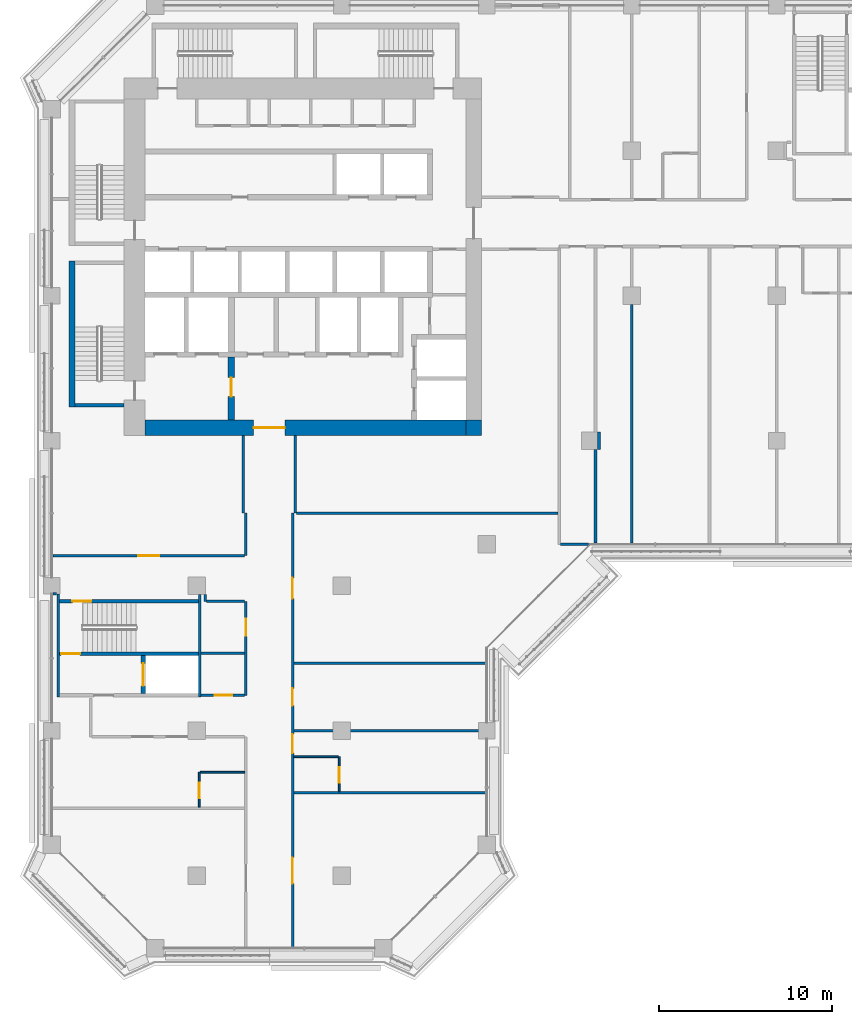
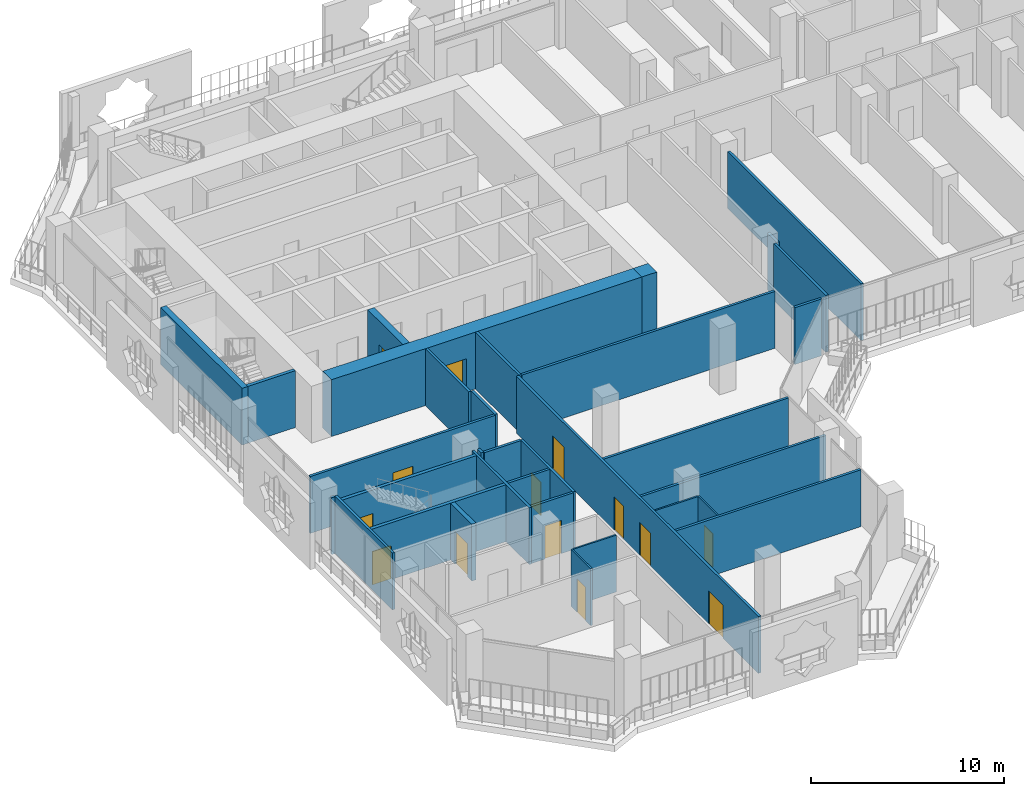
# One storey, part 10 of 22: 33 walls, 14 doors, 14 openings.
"""IFC4 building model written with IfcOpenShell, lengths in metres."""

from ifc_helpers import new_model, si_unit, direction, frame, frame_2d, origin, place, context, subcontext, project, spatial, rectangle, extrude, material, layer, layer_set, type_object, element, fill, save


model = new_model("IFC4")

# Units and contexts
model_context = context("Model", 3, precision=1e-05, world=origin(), true_north=direction((0.0, 1.0)))
body_context = subcontext(model_context, "Body", "Model", "MODEL_VIEW")
ifc_project = project(units=[si_unit("LENGTHUNIT", "METRE"), si_unit("AREAUNIT", "SQUARE_METRE"), si_unit("VOLUMEUNIT", "CUBIC_METRE"), si_unit("PLANEANGLEUNIT", "RADIAN"), si_unit("MASSUNIT", "GRAM", prefix="KILO")], contexts=[model_context])

# Site, building, storey
site_placement = place(None, origin())
site = spatial("IfcSite", under=ifc_project, at=site_placement, CompositionType="ELEMENT")
building_placement = place(site_placement, origin())
building = spatial("IfcBuilding", under=site, at=building_placement, Name="Kawkab Arch Medical Tower", CompositionType="ELEMENT")
storey_placement = place(building_placement, frame((0.0, 0.0, 196.199951171875)))
storey = spatial("IfcBuildingStorey", under=building, at=storey_placement, Name="L45", CompositionType="ELEMENT", Elevation=196.199951171875)

# Wall, opening, door
ifc_material_1 = material(Name="Concrete C55/67", Category="concrete")
ifc_layer_1 = layer(ifc_material_1, 0.89990234375)
ifc_layer_set_1 = layer_set([ifc_layer_1], Name="Concrete C55/67")
wall_type_1 = type_object("IfcWallType", Name="Core ring wall 900 C55/67", PredefinedType="SHEAR", material=ifc_layer_set_1)
wall_1_placement = place(storey_placement, frame((5.39990234375, -24.449951171875, 0.0), z_axis=(0.0, 0.0, 1.0), x_axis=(1.0, 0.0, 0.0)))
wall_1 = element("IfcWall", 1, at=wall_1_placement, inside=storey, type_object=wall_type_1, Name="L45 core wall", PredefinedType="SHEAR", context=body_context, shape_type="SweptSolid", body=[
    extrude(rectangle(XDim=18.60009765625, YDim=0.89990234375, at=frame_2d((9.300048828125, 0.0))), origin(), (0.0, 0.0, 1.0), 3.60009765625),
])
opening_1_placement = place(wall_1_placement, frame((6.300048828125, 0.0, 0.0)))
opening_1 = element("IfcOpeningElement", 2, at=opening_1_placement, cuts=wall_1, Name="Opening PD", PredefinedType="OPENING", context=body_context, shape_type="SweptSolid", body=[
    extrude(rectangle(XDim=1.800048828125, YDim=2.10009765625, at=frame_2d((0.89990234375, 1.050048828125))), frame((0.0, 0.4599609375, 0.0), z_axis=(0.0, -1.0, 0.0), x_axis=(1.0, 0.0, 0.0)), (0.0, 0.0, 1.0), 0.919921875),
])
ifc_material_2 = material(Name="Hollow metal fire door leaf")
door_type_1 = type_object("IfcDoorType", Name="Core entrance doors 1800", OperationType="DOUBLE_DOOR_SINGLE_SWING", PredefinedType="DOOR", material=ifc_material_2)
door_1_placement = place(opening_1_placement, origin())
door_1 = element("IfcDoor", 3, at=door_1_placement, inside=storey, type_object=door_type_1, Name="L45 South entrance doors", OperationType="DOUBLE_DOOR_SINGLE_SWING", OverallHeight=2.10009765625, OverallWidth=1.800048828125, PredefinedType="DOOR", context=body_context, shape_type="SweptSolid", body=[
    extrude(rectangle(XDim=1.800048828125, YDim=2.10009765625, at=frame_2d((0.89990234375, 1.050048828125))), frame((0.0, 0.02490234375, 0.0), z_axis=(0.0, -1.0, 0.0), x_axis=(1.0, 0.0, 0.0)), (0.0, 0.0, 1.0), 0.050048828125),
])
fill(opening_1, door_1)

# Wall
wall_2_placement = place(storey_placement, frame((24.449951171875, -24.89990234375, 0.0), z_axis=(0.0, 0.0, 1.0), x_axis=(0.0, 1.0, 0.0)))
element("IfcWall", 4, at=wall_2_placement, inside=storey, type_object=wall_type_1, Name="L45 core wall", PredefinedType="SHEAR", context=body_context, shape_type="SweptSolid", body=[
    extrude(rectangle(XDim=0.89990234375, YDim=0.89990234375, at=frame_2d((0.449951171875, 0.0))), origin(), (0.0, 0.0, 1.0), 3.60009765625),
])

# Wall, opening, door
ifc_material_3 = material(Name="Concrete C60/75", Category="concrete")
ifc_layer_2 = layer(ifc_material_3, 0.25)
ifc_layer_set_2 = layer_set([ifc_layer_2], Name="Concrete C60/75")
wall_type_2 = type_object("IfcWallType", Name="Core shear wall 250 C60/75", PredefinedType="SHEAR", material=ifc_layer_set_2)
wall_3_placement = place(storey_placement, frame((5.300048828125, -39.85009765625, 0.0), z_axis=(0.0, 0.0, 1.0), x_axis=(0.0, 1.0, 0.0)))
wall_3 = element("IfcWall", 5, at=wall_3_placement, inside=storey, type_object=wall_type_2, Name="L45 core shear wall", PredefinedType="SHEAR", context=body_context, shape_type="SweptSolid", body=[
    extrude(rectangle(XDim=2.2001953125, YDim=0.25, at=frame_2d((1.10009765625, 0.0))), origin(), (0.0, 0.0, 1.0), 3.60009765625),
])
opening_2_placement = place(wall_3_placement, frame((0.449951171875, 0.0, 0.0)))
opening_2 = element("IfcOpeningElement", 6, at=opening_2_placement, cuts=wall_3, Name="Opening LD2", PredefinedType="OPENING", context=body_context, shape_type="SweptSolid", body=[
    extrude(rectangle(XDim=1.300048828125, YDim=2.10009765625, at=frame_2d((0.64990234375, 1.050048828125))), frame((0.0, 0.135009765625, 0.0), z_axis=(0.0, -1.0, 0.0), x_axis=(1.0, 0.0, 0.0)), (0.0, 0.0, 1.0), 0.27001953125),
])
ifc_material_4 = material(Name="Stainless steel lift door leaf", Category="steel")
door_type_2 = type_object("IfcDoorType", Name="Lift landing door 1300", OperationType="DOUBLE_DOOR_SLIDING", PredefinedType="DOOR", material=ifc_material_4)
door_2_placement = place(opening_2_placement, origin())
door_2 = element("IfcDoor", 7, at=door_2_placement, inside=storey, type_object=door_type_2, Name="L45 Lift landing door SV2", OperationType="DOUBLE_DOOR_SLIDING", OverallHeight=2.10009765625, OverallWidth=1.300048828125, PredefinedType="DOOR", context=body_context, shape_type="SweptSolid", body=[
    extrude(rectangle(XDim=1.300048828125, YDim=2.10009765625, at=frame_2d((0.64990234375, 1.050048828125))), frame((0.0, 0.02490234375, 0.0), z_axis=(0.0, -1.0, 0.0), x_axis=(1.0, 0.0, 0.0)), (0.0, 0.0, 1.0), 0.050048828125),
])
fill(opening_2, door_2)

ifc_material_5 = material(Name="Concrete C60/75", Category="concrete")
ifc_layer_3 = layer(ifc_material_5, 0.39990234375)
ifc_layer_set_3 = layer_set([ifc_layer_3], Name="Concrete C60/75")
wall_type_3 = type_object("IfcWallType", Name="Core shear wall 400 C60/75", PredefinedType="SHEAR", material=ifc_layer_set_3)
wall_4_placement = place(storey_placement, frame((10.39990234375, -24.0, 0.0), z_axis=(0.0, 0.0, 1.0), x_axis=(0.0, 1.0, 0.0)))
wall_4 = element("IfcWall", 8, at=wall_4_placement, inside=storey, type_object=wall_type_3, Name="L45 core shear wall", PredefinedType="SHEAR", context=body_context, shape_type="SweptSolid", body=[
    extrude(rectangle(XDim=3.64990234375, YDim=0.39990234375, at=frame_2d((1.824951171875, 0.0))), origin(), (0.0, 0.0, 1.0), 3.60009765625),
])
opening_3_placement = place(wall_4_placement, frame((1.35009765625, 0.0, 0.0)))
opening_3 = element("IfcOpeningElement", 9, at=opening_3_placement, cuts=wall_4, Name="Opening FD", PredefinedType="OPENING", context=body_context, shape_type="SweptSolid", body=[
    extrude(rectangle(XDim=1.10009765625, YDim=2.10009765625, at=frame_2d((0.550048828125, 1.050048828125))), frame((0.0, 0.2099609375, 0.0), z_axis=(0.0, -1.0, 0.0), x_axis=(1.0, 0.0, 0.0)), (0.0, 0.0, 1.0), 0.419921875),
])
ifc_material_6 = material(Name="Hollow metal fire door leaf")
door_type_3 = type_object("IfcDoorType", Name="Firefighting lobby door 1100", OperationType="SINGLE_SWING_LEFT", PredefinedType="DOOR", material=ifc_material_6)
door_3_placement = place(opening_3_placement, origin())
door_3 = element("IfcDoor", 10, at=door_3_placement, inside=storey, type_object=door_type_3, Name="L45 Firefighting lobby door", OperationType="SINGLE_SWING_LEFT", OverallHeight=2.10009765625, OverallWidth=1.10009765625, PredefinedType="DOOR", context=body_context, shape_type="SweptSolid", body=[
    extrude(rectangle(XDim=1.10009765625, YDim=2.10009765625, at=frame_2d((0.550048828125, 1.050048828125))), frame((0.0, 0.02490234375, 0.0), z_axis=(0.0, -1.0, 0.0), x_axis=(1.0, 0.0, 0.0)), (0.0, 0.0, 1.0), 0.050048828125),
])
fill(opening_3, door_3)

# Walls
ifc_material_7 = material(Name="Gypsum board partition on steel studs", Category="steel")
ifc_layer_4 = layer(ifc_material_7, 0.10009765625)
ifc_layer_set_4 = layer_set([ifc_layer_4], Name="Gypsum board partition on steel studs")
wall_type_4 = type_object("IfcWallType", Name="Partition 100", PredefinedType="PARTITIONING", material=ifc_layer_set_4)
wall_5_placement = place(storey_placement, frame((8.60009765625, -44.39990234375, 0.0), z_axis=(0.0, 0.0, 1.0), x_axis=(1.0, 0.0, 0.0)))
element("IfcWall", 11, at=wall_5_placement, inside=storey, type_object=wall_type_4, Name="Partition 100 w001", PredefinedType="PARTITIONING", context=body_context, shape_type="SweptSolid", body=[
    extrude(rectangle(XDim=2.574951171875, YDim=0.10009765625, at=frame_2d((1.28759765625, 0.0))), origin(), (0.0, 0.0, 1.0), 3.60009765625),
])
wall_6_placement = place(storey_placement, frame((14.02490234375, -43.5, 0.0), z_axis=(0.0, 0.0, 1.0), x_axis=(1.0, 0.0, 0.0)))
element("IfcWall", 12, at=wall_6_placement, inside=storey, type_object=wall_type_4, Name="Partition 100 w002", PredefinedType="PARTITIONING", context=body_context, shape_type="SweptSolid", body=[
    extrude(rectangle(XDim=2.5751953125, YDim=0.10009765625, at=frame_2d((1.28759765625, 0.0))), origin(), (0.0, 0.0, 1.0), 3.60009765625),
])

# Wall, opening, door
wall_7_placement = place(storey_placement, frame((8.550048828125, -46.425048828125, 0.0), z_axis=(0.0, 0.0, 1.0), x_axis=(0.0, 1.0, 0.0)))
wall_7 = element("IfcWall", 13, at=wall_7_placement, inside=storey, type_object=wall_type_4, Name="Partition 100 w007", PredefinedType="PARTITIONING", context=body_context, shape_type="SweptSolid", body=[
    extrude(rectangle(XDim=2.025146484375, YDim=0.10009765625, at=frame_2d((1.0126953125, 0.0))), origin(), (0.0, 0.0, 1.0), 3.60009765625),
])
opening_4_placement = place(wall_7_placement, frame((0.52490234375, 0.0, 0.0)))
opening_4 = element("IfcOpeningElement", 14, at=opening_4_placement, cuts=wall_7, Name="Opening W40-010", PredefinedType="OPENING", context=body_context, shape_type="SweptSolid", body=[
    extrude(rectangle(XDim=0.89990234375, YDim=2.10009765625, at=frame_2d((0.449951171875, 1.050048828125))), frame((0.0, 0.06005859375, 0.0), z_axis=(0.0, -1.0, 0.0), x_axis=(1.0, 0.0, 0.0)), (0.0, 0.0, 1.0), 0.1201171875),
])
ifc_material_8 = material(Name="Timber door leaf", Category="wood")
door_type_4 = type_object("IfcDoorType", Name="Single door 900x2100", OperationType="NOTDEFINED", PredefinedType="DOOR", material=ifc_material_8)
door_4_placement = place(opening_4_placement, origin())
door_4 = element("IfcDoor", 15, at=door_4_placement, inside=storey, type_object=door_type_4, Name="Door W40-010", OperationType="SINGLE_SWING_RIGHT", OverallHeight=2.10009765625, OverallWidth=0.89990234375, PredefinedType="DOOR", context=body_context, shape_type="SweptSolid", body=[
    extrude(rectangle(XDim=0.89990234375, YDim=2.10009765625, at=frame_2d((0.449951171875, 1.050048828125))), frame((0.0, 0.02490234375, 0.0), z_axis=(0.0, -1.0, 0.0), x_axis=(1.0, 0.0, 0.0)), (0.0, 0.0, 1.0), 0.050048828125),
])
fill(opening_4, door_4)

wall_8_placement = place(storey_placement, frame((16.64990234375, -45.52490234375, 0.0), z_axis=(0.0, 0.0, 1.0), x_axis=(0.0, 1.0, 0.0)))
wall_8 = element("IfcWall", 16, at=wall_8_placement, inside=storey, type_object=wall_type_4, Name="Partition 100 w008", PredefinedType="PARTITIONING", context=body_context, shape_type="SweptSolid", body=[
    extrude(rectangle(XDim=2.02490234375, YDim=0.10009765625, at=frame_2d((1.012451171875, 0.0))), origin(), (0.0, 0.0, 1.0), 3.60009765625),
])
opening_5_placement = place(wall_8_placement, frame((0.52490234375, 0.0, 0.0)))
opening_5 = element("IfcOpeningElement", 17, at=opening_5_placement, cuts=wall_8, Name="Opening W40-011", PredefinedType="OPENING", context=body_context, shape_type="SweptSolid", body=[
    extrude(rectangle(XDim=0.89990234375, YDim=2.10009765625, at=frame_2d((0.449951171875, 1.050048828125))), frame((0.0, 0.06005859375, 0.0), z_axis=(0.0, -1.0, 0.0), x_axis=(1.0, 0.0, 0.0)), (0.0, 0.0, 1.0), 0.1201171875),
])
door_5_placement = place(opening_5_placement, origin())
door_5 = element("IfcDoor", 18, at=door_5_placement, inside=storey, type_object=door_type_4, Name="Door W40-011", OperationType="SINGLE_SWING_RIGHT", OverallHeight=2.10009765625, OverallWidth=0.89990234375, PredefinedType="DOOR", context=body_context, shape_type="SweptSolid", body=[
    extrude(rectangle(XDim=0.89990234375, YDim=2.10009765625, at=frame_2d((0.449951171875, 1.050048828125))), frame((0.0, 0.02490234375, 0.0), z_axis=(0.0, -1.0, 0.0), x_axis=(1.0, 0.0, 0.0)), (0.0, 0.0, 1.0), 0.050048828125),
])
fill(opening_5, door_5)

# Walls
ifc_material_9 = material(Name="Gypsum board partition on steel studs, mineral wool", Category="steel")
ifc_layer_5 = layer(ifc_material_9, 0.14990234375)
ifc_layer_set_5 = layer_set([ifc_layer_5], Name="Gypsum board partition on steel studs, mineral wool")
wall_type_5 = type_object("IfcWallType", Name="Partition 150", PredefinedType="PARTITIONING", material=ifc_layer_set_5)
for number, where, z_axis, x_axis, name in (
    (19, (14.02490234375, -45.60009765625, 0.0), (0.0, 0.0, 1.0), (1.0, 0.0, 0.0), "Partition 150 w016"),
    (20, (14.02490234375, -42.0, 0.0), (0.0, 0.0, 1.0), (1.0, 0.0, 0.0), "Partition 150 w018"),
):
    element("IfcWall", number, at=place(storey_placement, frame(where, z_axis=z_axis, x_axis=x_axis)), inside=storey, type_object=wall_type_5, Name=name, PredefinedType="PARTITIONING", context=body_context, shape_type="SweptSolid", body=[
        extrude(rectangle(XDim=11.09521484375, YDim=0.14990234375, at=frame_2d((5.547607421875, 0.0))), origin(), (0.0, 0.0, 1.0), 3.60009765625),
    ])

# Wall, opening, door
wall_9_placement = place(storey_placement, frame((8.64990234375, -39.949951171875, 0.0), z_axis=(0.0, 0.0, 1.0), x_axis=(1.0, 0.0, 0.0)))
wall_9 = element("IfcWall", 21, at=wall_9_placement, inside=storey, type_object=wall_type_5, Name="Partition 150 w019", PredefinedType="PARTITIONING", context=body_context, shape_type="SweptSolid", body=[
    extrude(rectangle(XDim=2.525146484375, YDim=0.14990234375, at=frame_2d((1.2626953125, 0.0))), origin(), (0.0, 0.0, 1.0), 3.60009765625),
])
opening_6_placement = place(wall_9_placement, frame((0.800048828125, 0.0, 0.0)))
opening_6 = element("IfcOpeningElement", 22, at=opening_6_placement, cuts=wall_9, Name="Opening W40-024", PredefinedType="OPENING", context=body_context, shape_type="SweptSolid", body=[
    extrude(rectangle(XDim=1.0, YDim=2.10009765625, at=frame_2d((0.5, 1.050048828125))), frame((0.0, 0.0849609375, 0.0), z_axis=(0.0, -1.0, 0.0), x_axis=(1.0, 0.0, 0.0)), (0.0, 0.0, 1.0), 0.169921875),
])
ifc_material_10 = material(Name="Hollow metal door leaf")
door_type_5 = type_object("IfcDoorType", Name="Single door 1000x2100 FD30S", OperationType="NOTDEFINED", PredefinedType="DOOR", material=ifc_material_10)
door_6_placement = place(opening_6_placement, origin())
door_6 = element("IfcDoor", 23, at=door_6_placement, inside=storey, type_object=door_type_5, Name="Door W40-024", OperationType="SINGLE_SWING_LEFT", OverallHeight=2.10009765625, OverallWidth=1.0, PredefinedType="DOOR", context=body_context, shape_type="SweptSolid", body=[
    extrude(rectangle(XDim=1.0, YDim=2.10009765625, at=frame_2d((0.5, 1.050048828125))), frame((0.0, 0.02490234375, 0.0), z_axis=(0.0, -1.0, 0.0), x_axis=(1.0, 0.0, 0.0)), (0.0, 0.0, 1.0), 0.050048828125),
])
fill(opening_6, door_6)

# Walls
wall_10_placement = place(storey_placement, frame((14.02490234375, -38.10009765625, 0.0), z_axis=(0.0, 0.0, 1.0), x_axis=(1.0, 0.0, 0.0)))
element("IfcWall", 24, at=wall_10_placement, inside=storey, type_object=wall_type_5, Name="Partition 150 w020", PredefinedType="PARTITIONING", context=body_context, shape_type="SweptSolid", body=[
    extrude(rectangle(XDim=11.09521484375, YDim=0.14990234375, at=frame_2d((5.547607421875, 0.0))), origin(), (0.0, 0.0, 1.0), 3.60009765625),
])
wall_11_placement = place(storey_placement, frame((8.64990234375, -37.5, 0.0), z_axis=(0.0, 0.0, 1.0), x_axis=(1.0, 0.0, 0.0)))
element("IfcWall", 25, at=wall_11_placement, inside=storey, type_object=wall_type_5, Name="Partition 150 w021", PredefinedType="PARTITIONING", context=body_context, shape_type="SweptSolid", body=[
    extrude(rectangle(XDim=2.525146484375, YDim=0.14990234375, at=frame_2d((1.2626953125, 0.0))), origin(), (0.0, 0.0, 1.0), 3.60009765625),
])
wall_12_placement = place(storey_placement, frame((8.97509765625, -34.5, 0.0), z_axis=(0.0, 0.0, 1.0), x_axis=(1.0, 0.0, 0.0)))
element("IfcWall", 26, at=wall_12_placement, inside=storey, type_object=wall_type_5, Name="Partition 150 w022", PredefinedType="PARTITIONING", context=body_context, shape_type="SweptSolid", body=[
    extrude(rectangle(XDim=2.199951171875, YDim=0.14990234375, at=frame_2d((1.10009765625, 0.0))), origin(), (0.0, 0.0, 1.0), 3.60009765625),
])
wall_13_placement = place(storey_placement, frame((0.080078125, -34.074951171875, 0.0), z_axis=(0.0, 0.0, 1.0), x_axis=(1.0, 0.0, 0.0)))
element("IfcWall", 27, at=wall_13_placement, inside=storey, type_object=wall_type_5, Name="Partition 150 w023", PredefinedType="PARTITIONING", context=body_context, shape_type="SweptSolid", body=[
    extrude(rectangle(XDim=0.18994140625, YDim=0.14990234375, at=frame_2d((0.094970703125, 0.0))), origin(), (0.0, 0.0, 1.0), 3.60009765625),
])

# Wall, opening, door
wall_14_placement = place(storey_placement, frame((0.080078125, -31.85693359375, 0.0), z_axis=(0.0, 0.0, 1.0), x_axis=(1.0, 0.0, 0.0)))
wall_14 = element("IfcWall", 28, at=wall_14_placement, inside=storey, type_object=wall_type_5, Name="Partition 150 w024", PredefinedType="PARTITIONING", context=body_context, shape_type="SweptSolid", body=[
    extrude(rectangle(XDim=11.094970703125, YDim=0.14990234375, at=frame_2d((5.54736328125, 0.0))), origin(), (0.0, 0.0, 1.0), 3.60009765625),
])
opening_7_placement = place(wall_14_placement, frame((4.945068359375, 0.0, 0.0)))
opening_7 = element("IfcOpeningElement", 29, at=opening_7_placement, cuts=wall_14, Name="Opening W40-033", PredefinedType="OPENING", context=body_context, shape_type="SweptSolid", body=[
    extrude(rectangle(XDim=1.199951171875, YDim=2.10009765625, at=frame_2d((0.60009765625, 1.050048828125))), frame((0.0, 0.0849609375, 0.0), z_axis=(0.0, -1.0, 0.0), x_axis=(1.0, 0.0, 0.0)), (0.0, 0.0, 1.0), 0.169921875),
])
ifc_material_11 = material(Name="Hollow metal door leaf")
door_type_6 = type_object("IfcDoorType", Name="Single door 1200x2100 FD30S", OperationType="NOTDEFINED", PredefinedType="DOOR", material=ifc_material_11)
door_7_placement = place(opening_7_placement, origin())
door_7 = element("IfcDoor", 30, at=door_7_placement, inside=storey, type_object=door_type_6, Name="Door W40-033", OperationType="SINGLE_SWING_LEFT", OverallHeight=2.10009765625, OverallWidth=1.199951171875, PredefinedType="DOOR", context=body_context, shape_type="SweptSolid", body=[
    extrude(rectangle(XDim=1.199951171875, YDim=2.10009765625, at=frame_2d((0.60009765625, 1.050048828125))), frame((0.0, 0.02490234375, 0.0), z_axis=(0.0, -1.0, 0.0), x_axis=(1.0, 0.0, 0.0)), (0.0, 0.0, 1.0), 0.050048828125),
])
fill(opening_7, door_7)

# Walls
wall_15_placement = place(storey_placement, frame((29.47705078125, -31.199951171875, 0.0), z_axis=(0.0, 0.0, 1.0), x_axis=(1.0, 0.0, 0.0)))
element("IfcWall", 31, at=wall_15_placement, inside=storey, type_object=wall_type_5, Name="Partition 150 w025", PredefinedType="PARTITIONING", context=body_context, shape_type="SweptSolid", body=[
    extrude(rectangle(XDim=1.60986328125, YDim=0.14990234375, at=frame_2d((0.804931640625, 0.0))), origin(), (0.0, 0.0, 1.0), 3.60009765625),
])
wall_16_placement = place(storey_placement, frame((14.175048828125, -29.39990234375, 0.0), z_axis=(0.0, 0.0, 1.0), x_axis=(1.0, 0.0, 0.0)))
element("IfcWall", 32, at=wall_16_placement, inside=storey, type_object=wall_type_5, Name="Partition 150 w026", PredefinedType="PARTITIONING", context=body_context, shape_type="SweptSolid", body=[
    extrude(rectangle(XDim=15.14990234375, YDim=0.14990234375, at=frame_2d((7.574951171875, 0.0))), origin(), (0.0, 0.0, 1.0), 3.60009765625),
])
wall_17_placement = place(storey_placement, frame((8.89990234375, -34.5, 0.0), z_axis=(0.0, 0.0, 1.0), x_axis=(0.0, 1.0, 0.0)))
element("IfcWall", 33, at=wall_17_placement, inside=storey, type_object=wall_type_5, Name="Partition 150 w038", PredefinedType="PARTITIONING", context=body_context, shape_type="SweptSolid", body=[
    extrude(rectangle(XDim=0.39892578125, YDim=0.14990234375, at=frame_2d((0.199462890625, 0.0))), origin(), (0.0, 0.0, 1.0), 3.60009765625),
])
wall_18_placement = place(storey_placement, frame((11.10009765625, -29.39794921875, 0.0), z_axis=(0.0, 0.0, 1.0), x_axis=(0.0, 1.0, 0.0)))
element("IfcWall", 34, at=wall_18_placement, inside=storey, type_object=wall_type_5, Name="Partition 150 w039", PredefinedType="PARTITIONING", context=body_context, shape_type="SweptSolid", body=[
    extrude(rectangle(XDim=4.498046875, YDim=0.14990234375, at=frame_2d((2.2490234375, 0.0))), origin(), (0.0, 0.0, 1.0), 3.60009765625),
])

# Wall, opening, door
wall_19_placement = place(storey_placement, frame((11.25, -39.949951171875, 0.0), z_axis=(0.0, 0.0, 1.0), x_axis=(0.0, 1.0, 0.0)))
wall_19 = element("IfcWall", 35, at=wall_19_placement, inside=storey, type_object=wall_type_5, Name="Partition 150 w041", PredefinedType="PARTITIONING", context=body_context, shape_type="SweptSolid", body=[
    extrude(rectangle(XDim=5.449951171875, YDim=0.14990234375, at=frame_2d((2.72509765625, 0.0))), origin(), (0.0, 0.0, 1.0), 3.60009765625),
])
opening_8_placement = place(wall_19_placement, frame((3.449951171875, 0.0, 0.0)))
opening_8 = element("IfcOpeningElement", 36, at=opening_8_placement, cuts=wall_19, Name="Opening W40-023", PredefinedType="OPENING", context=body_context, shape_type="SweptSolid", body=[
    extrude(rectangle(XDim=1.0, YDim=2.10009765625, at=frame_2d((0.5, 1.050048828125))), frame((0.0, 0.0849609375, 0.0), z_axis=(0.0, -1.0, 0.0), x_axis=(1.0, 0.0, 0.0)), (0.0, 0.0, 1.0), 0.169921875),
])
door_8_placement = place(opening_8_placement, origin())
door_8 = element("IfcDoor", 37, at=door_8_placement, inside=storey, type_object=door_type_5, Name="Door W40-023", OperationType="SINGLE_SWING_RIGHT", OverallHeight=2.10009765625, OverallWidth=1.0, PredefinedType="DOOR", context=body_context, shape_type="SweptSolid", body=[
    extrude(rectangle(XDim=1.0, YDim=2.10009765625, at=frame_2d((0.5, 1.050048828125))), frame((0.0, 0.02490234375, 0.0), z_axis=(0.0, -1.0, 0.0), x_axis=(1.0, 0.0, 0.0)), (0.0, 0.0, 1.0), 0.050048828125),
])
fill(opening_8, door_8)

# Wall
wall_20_placement = place(storey_placement, frame((11.25, -31.85693359375, 0.0), z_axis=(0.0, 0.0, 1.0), x_axis=(0.0, 1.0, 0.0)))
element("IfcWall", 38, at=wall_20_placement, inside=storey, type_object=wall_type_5, Name="Partition 150 w042", PredefinedType="PARTITIONING", context=body_context, shape_type="SweptSolid", body=[
    extrude(rectangle(XDim=2.45703125, YDim=0.14990234375, at=frame_2d((1.228515625, 0.0))), origin(), (0.0, 0.0, 1.0), 3.60009765625),
])

# Wall, openings, doors
wall_21_placement = place(storey_placement, frame((13.949951171875, -54.52001953125, 0.0), z_axis=(0.0, 0.0, 1.0), x_axis=(0.0, 1.0, 0.0)))
wall_21 = element("IfcWall", 39, at=wall_21_placement, inside=storey, type_object=wall_type_5, Name="Partition 150 w043", PredefinedType="PARTITIONING", context=body_context, shape_type="SweptSolid", body=[
    extrude(rectangle(XDim=25.1201171875, YDim=0.14990234375, at=frame_2d((12.56005859375, 0.0))), origin(), (0.0, 0.0, 1.0), 3.60009765625),
])
opening_9_placement = place(wall_21_placement, frame((20.169921875, 0.0, 0.0)))
opening_9 = element("IfcOpeningElement", 40, at=opening_9_placement, cuts=wall_21, Name="Opening W40-036", PredefinedType="OPENING", context=body_context, shape_type="SweptSolid", body=[
    extrude(rectangle(XDim=1.199951171875, YDim=2.10009765625, at=frame_2d((0.60009765625, 1.050048828125))), frame((0.0, 0.0849609375, 0.0), z_axis=(0.0, -1.0, 0.0), x_axis=(1.0, 0.0, 0.0)), (0.0, 0.0, 1.0), 0.169921875),
])
opening_10_placement = place(wall_21_placement, frame((13.969970703125, 0.0, 0.0)))
opening_10 = element("IfcOpeningElement", 41, at=opening_10_placement, cuts=wall_21, Name="Opening W40-025", PredefinedType="OPENING", context=body_context, shape_type="SweptSolid", body=[
    extrude(rectangle(XDim=1.0, YDim=2.10009765625, at=frame_2d((0.5, 1.050048828125))), frame((0.0, 0.0849609375, 0.0), z_axis=(0.0, -1.0, 0.0), x_axis=(1.0, 0.0, 0.0)), (0.0, 0.0, 1.0), 0.169921875),
])
opening_11_placement = place(wall_21_placement, frame((11.219970703125, 0.0, 0.0)))
opening_11 = element("IfcOpeningElement", 42, at=opening_11_placement, cuts=wall_21, Name="Opening W40-027", PredefinedType="OPENING", context=body_context, shape_type="SweptSolid", body=[
    extrude(rectangle(XDim=1.10009765625, YDim=2.10009765625, at=frame_2d((0.550048828125, 1.050048828125))), frame((0.0, 0.0849609375, 0.0), z_axis=(0.0, -1.0, 0.0), x_axis=(1.0, 0.0, 0.0)), (0.0, 0.0, 1.0), 0.169921875),
])
opening_12_placement = place(wall_21_placement, frame((3.669921875, 0.0, 0.0)))
opening_12 = element("IfcOpeningElement", 43, at=opening_12_placement, cuts=wall_21, Name="Opening W40-004", PredefinedType="OPENING", context=body_context, shape_type="SweptSolid", body=[
    extrude(rectangle(XDim=1.5, YDim=2.10009765625, at=frame_2d((0.75, 1.050048828125))), frame((0.0, 0.0849609375, 0.0), z_axis=(0.0, -1.0, 0.0), x_axis=(1.0, 0.0, 0.0)), (0.0, 0.0, 1.0), 0.169921875),
])
ifc_material_12 = material(Name="Hollow metal door leaf")
door_type_7 = type_object("IfcDoorType", Name="Double door 1500x2100 FD30S", OperationType="NOTDEFINED", PredefinedType="DOOR", material=ifc_material_12)
door_9_placement = place(opening_12_placement, origin())
door_9 = element("IfcDoor", 44, at=door_9_placement, inside=storey, type_object=door_type_7, Name="Door W40-004", OperationType="DOUBLE_DOOR_SINGLE_SWING", OverallHeight=2.10009765625, OverallWidth=1.5, PredefinedType="DOOR", context=body_context, shape_type="SweptSolid", body=[
    extrude(rectangle(XDim=1.5, YDim=2.10009765625, at=frame_2d((0.75, 1.050048828125))), frame((0.0, 0.02490234375, 0.0), z_axis=(0.0, -1.0, 0.0), x_axis=(1.0, 0.0, 0.0)), (0.0, 0.0, 1.0), 0.050048828125),
])
fill(opening_12, door_9)
door_10_placement = place(opening_10_placement, origin())
door_10 = element("IfcDoor", 45, at=door_10_placement, inside=storey, type_object=door_type_5, Name="Door W40-025", OperationType="SINGLE_SWING_LEFT", OverallHeight=2.10009765625, OverallWidth=1.0, PredefinedType="DOOR", context=body_context, shape_type="SweptSolid", body=[
    extrude(rectangle(XDim=1.0, YDim=2.10009765625, at=frame_2d((0.5, 1.050048828125))), frame((0.0, 0.02490234375, 0.0), z_axis=(0.0, -1.0, 0.0), x_axis=(1.0, 0.0, 0.0)), (0.0, 0.0, 1.0), 0.050048828125),
])
fill(opening_10, door_10)
ifc_material_13 = material(Name="Hollow metal door leaf")
door_type_8 = type_object("IfcDoorType", Name="Single door 1100x2100 FD30S", OperationType="NOTDEFINED", PredefinedType="DOOR", material=ifc_material_13)
door_11_placement = place(opening_11_placement, origin())
door_11 = element("IfcDoor", 46, at=door_11_placement, inside=storey, type_object=door_type_8, Name="Door W40-027", OperationType="SINGLE_SWING_RIGHT", OverallHeight=2.10009765625, OverallWidth=1.10009765625, PredefinedType="DOOR", context=body_context, shape_type="SweptSolid", body=[
    extrude(rectangle(XDim=1.10009765625, YDim=2.10009765625, at=frame_2d((0.550048828125, 1.050048828125))), frame((0.0, 0.02490234375, 0.0), z_axis=(0.0, -1.0, 0.0), x_axis=(1.0, 0.0, 0.0)), (0.0, 0.0, 1.0), 0.050048828125),
])
fill(opening_11, door_11)
door_12_placement = place(opening_9_placement, origin())
door_12 = element("IfcDoor", 47, at=door_12_placement, inside=storey, type_object=door_type_6, Name="Door W40-036", OperationType="SINGLE_SWING_LEFT", OverallHeight=2.10009765625, OverallWidth=1.199951171875, PredefinedType="DOOR", context=body_context, shape_type="SweptSolid", body=[
    extrude(rectangle(XDim=1.199951171875, YDim=2.10009765625, at=frame_2d((0.60009765625, 1.050048828125))), frame((0.0, 0.02490234375, 0.0), z_axis=(0.0, -1.0, 0.0), x_axis=(1.0, 0.0, 0.0)), (0.0, 0.0, 1.0), 0.050048828125),
])
fill(opening_9, door_12)

# Walls
wall_22_placement = place(storey_placement, frame((14.10009765625, -29.39990234375, 0.0), z_axis=(0.0, 0.0, 1.0), x_axis=(0.0, 1.0, 0.0)))
element("IfcWall", 48, at=wall_22_placement, inside=storey, type_object=wall_type_5, Name="Partition 150 w044", PredefinedType="PARTITIONING", context=body_context, shape_type="SweptSolid", body=[
    extrude(rectangle(XDim=4.5, YDim=0.14990234375, at=frame_2d((2.25, 0.0))), origin(), (0.0, 0.0, 1.0), 3.60009765625),
])
wall_23_placement = place(storey_placement, frame((31.5, -31.1201171875, 0.0), z_axis=(0.0, 0.0, 1.0), x_axis=(0.0, 1.0, 0.0)))
element("IfcWall", 49, at=wall_23_placement, inside=storey, type_object=wall_type_5, Name="Partition 150 w047", PredefinedType="PARTITIONING", context=body_context, shape_type="SweptSolid", body=[
    extrude(rectangle(XDim=5.418212890625, YDim=0.14990234375, at=frame_2d((2.708984375, 0.0))), origin(), (0.0, 0.0, 1.0), 3.60009765625),
])
wall_24_placement = place(storey_placement, frame((31.699951171875, -25.697998046875, 0.0), z_axis=(0.0, 0.0, 1.0), x_axis=(0.0, 1.0, 0.0)))
element("IfcWall", 50, at=wall_24_placement, inside=storey, type_object=wall_type_5, Name="Partition 150 w049", PredefinedType="PARTITIONING", context=body_context, shape_type="SweptSolid", body=[
    extrude(rectangle(XDim=0.99609375, YDim=0.14990234375, at=frame_2d((0.498046875, 0.0))), origin(), (0.0, 0.0, 1.0), 3.60009765625),
])
wall_25_placement = place(storey_placement, frame((33.60009765625, -31.1201171875, 0.0), z_axis=(0.0, 0.0, 1.0), x_axis=(0.0, 1.0, 0.0)))
element("IfcWall", 51, at=wall_25_placement, inside=storey, type_object=wall_type_5, Name="Partition 150 w050", PredefinedType="PARTITIONING", context=body_context, shape_type="SweptSolid", body=[
    extrude(rectangle(XDim=13.820068359375, YDim=0.14990234375, at=frame_2d((6.91015625, 0.0))), origin(), (0.0, 0.0, 1.0), 3.60009765625),
])
ifc_material_14 = material(Name="Concrete C50/60", Category="concrete")
ifc_layer_6 = layer(ifc_material_14, 0.14990234375)
ifc_layer_set_6 = layer_set([ifc_layer_6], Name="Concrete C50/60")
wall_type_6 = type_object("IfcWallType", Name="Stair enclosure wall 150 C50/60", PredefinedType="SHEAR", material=ifc_layer_set_6)
wall_26_placement = place(storey_placement, frame((0.375, -40.050048828125, 0.0), z_axis=(0.0, 0.0, 1.0), x_axis=(0.0, 1.0, 0.0)))
element("IfcWall", 52, at=wall_26_placement, inside=storey, type_object=wall_type_6, Name="L45 stair enclosure wall", PredefinedType="SHEAR", context=body_context, shape_type="SweptSolid", body=[
    extrude(rectangle(XDim=5.97509765625, YDim=0.14990234375, at=frame_2d((2.987548828125, 0.0))), origin(), (0.0, 0.0, 1.0), 3.60009765625),
])
wall_27_placement = place(storey_placement, frame((8.574951171875, -40.050048828125, 0.0), z_axis=(0.0, 0.0, 1.0), x_axis=(0.0, 1.0, 0.0)))
element("IfcWall", 53, at=wall_27_placement, inside=storey, type_object=wall_type_6, Name="L45 stair enclosure wall", PredefinedType="SHEAR", context=body_context, shape_type="SweptSolid", body=[
    extrude(rectangle(XDim=5.949951171875, YDim=0.14990234375, at=frame_2d((2.97509765625, 0.0))), origin(), (0.0, 0.0, 1.0), 3.60009765625),
])
ifc_material_15 = material(Name="Concrete C50/60", Category="concrete")
ifc_layer_7 = layer(ifc_material_15, 0.199951171875)
ifc_layer_set_7 = layer_set([ifc_layer_7], Name="Concrete C50/60")
wall_type_7 = type_object("IfcWallType", Name="Stair enclosure wall 200 C50/60", PredefinedType="SHEAR", material=ifc_layer_set_7)
wall_28_placement = place(storey_placement, frame((1.35009765625, -23.14990234375, 0.0), z_axis=(0.0, 0.0, 1.0), x_axis=(1.0, 0.0, 0.0)))
element("IfcWall", 54, at=wall_28_placement, inside=storey, type_object=wall_type_7, Name="L45 stair enclosure wall", PredefinedType="SHEAR", context=body_context, shape_type="SweptSolid", body=[
    extrude(rectangle(XDim=2.849853515625, YDim=0.199951171875, at=frame_2d((1.4248046875, 0.0))), origin(), (0.0, 0.0, 1.0), 3.60009765625),
])

# Wall, opening, door
wall_29_placement = place(storey_placement, frame((0.449951171875, -34.5, 0.0), z_axis=(0.0, 0.0, 1.0), x_axis=(1.0, 0.0, 0.0)))
wall_29 = element("IfcWall", 55, at=wall_29_placement, inside=storey, type_object=wall_type_7, Name="L45 stair enclosure wall", PredefinedType="SHEAR", context=body_context, shape_type="SweptSolid", body=[
    extrude(rectangle(XDim=8.050048828125, YDim=0.199951171875, at=frame_2d((4.02490234375, 0.0))), origin(), (0.0, 0.0, 1.0), 3.60009765625),
])
opening_13_placement = place(wall_29_placement, frame((0.75, 0.0, 0.0)))
opening_13 = element("IfcOpeningElement", 56, at=opening_13_placement, cuts=wall_29, Name="Opening SD", PredefinedType="OPENING", context=body_context, shape_type="SweptSolid", body=[
    extrude(rectangle(XDim=1.10009765625, YDim=2.10009765625, at=frame_2d((0.550048828125, 1.050048828125))), frame((0.0, 0.10986328125, 0.0), z_axis=(0.0, -1.0, 0.0), x_axis=(1.0, 0.0, 0.0)), (0.0, 0.0, 1.0), 0.219970703125),
])
ifc_material_16 = material(Name="Hollow metal fire door leaf")
door_type_9 = type_object("IfcDoorType", Name="Exit stair door 1100", OperationType="SINGLE_SWING_LEFT", PredefinedType="DOOR", material=ifc_material_16)
door_13_placement = place(opening_13_placement, origin())
door_13 = element("IfcDoor", 57, at=door_13_placement, inside=storey, type_object=door_type_9, Name="L45 Exit stair ST6 door", OperationType="SINGLE_SWING_LEFT", OverallHeight=2.10009765625, OverallWidth=1.10009765625, PredefinedType="DOOR", context=body_context, shape_type="SweptSolid", body=[
    extrude(rectangle(XDim=1.10009765625, YDim=2.10009765625, at=frame_2d((0.550048828125, 1.050048828125))), frame((0.0, 0.02490234375, 0.0), z_axis=(0.0, -1.0, 0.0), x_axis=(1.0, 0.0, 0.0)), (0.0, 0.0, 1.0), 0.050048828125),
])
fill(opening_13, door_13)

wall_30_placement = place(storey_placement, frame((0.449951171875, -37.550048828125, 0.0), z_axis=(0.0, 0.0, 1.0), x_axis=(1.0, 0.0, 0.0)))
wall_30 = element("IfcWall", 58, at=wall_30_placement, inside=storey, type_object=wall_type_7, Name="L45 stair enclosure wall", PredefinedType="SHEAR", context=body_context, shape_type="SweptSolid", body=[
    extrude(rectangle(XDim=8.050048828125, YDim=0.199951171875, at=frame_2d((4.02490234375, 0.0))), origin(), (0.0, 0.0, 1.0), 3.60009765625),
])
opening_14_placement = place(wall_30_placement, frame((0.10009765625, 0.0, 0.0)))
opening_14 = element("IfcOpeningElement", 59, at=opening_14_placement, cuts=wall_30, Name="Opening SD", PredefinedType="OPENING", context=body_context, shape_type="SweptSolid", body=[
    extrude(rectangle(XDim=1.10009765625, YDim=2.10009765625, at=frame_2d((0.550048828125, 1.050048828125))), frame((0.0, 0.10986328125, 0.0), z_axis=(0.0, -1.0, 0.0), x_axis=(1.0, 0.0, 0.0)), (0.0, 0.0, 1.0), 0.219970703125),
])
door_14_placement = place(opening_14_placement, frame((1.10009765625, 0.0, 0.0), z_axis=(0.0, 0.0, 1.0), x_axis=(-1.0, 0.0, 0.0)))
door_14 = element("IfcDoor", 60, at=door_14_placement, inside=storey, type_object=door_type_9, Name="L45 Exit stair ST6 lobby door", OperationType="SINGLE_SWING_LEFT", OverallHeight=2.10009765625, OverallWidth=1.10009765625, PredefinedType="DOOR", context=body_context, shape_type="SweptSolid", body=[
    extrude(rectangle(XDim=1.10009765625, YDim=2.10009765625, at=frame_2d((0.550048828125, 1.050048828125))), frame((0.0, 0.02490234375, 0.0), z_axis=(0.0, -1.0, 0.0), x_axis=(1.0, 0.0, 0.0)), (0.0, 0.0, 1.0), 0.050048828125),
])
fill(opening_14, door_14)

# Wall
ifc_material_17 = material(Name="Concrete C50/60", Category="concrete")
ifc_layer_8 = layer(ifc_material_17, 0.35009765625)
ifc_layer_set_8 = layer_set([ifc_layer_8], Name="Concrete C50/60")
wall_type_8 = type_object("IfcWallType", Name="Stair enclosure wall 350 C50/60", PredefinedType="SHEAR", material=ifc_layer_set_8)
wall_31_placement = place(storey_placement, frame((1.175048828125, -23.25, 0.0), z_axis=(0.0, 0.0, 1.0), x_axis=(0.0, 1.0, 0.0)))
element("IfcWall", 61, at=wall_31_placement, inside=storey, type_object=wall_type_8, Name="L45 stair enclosure wall", PredefinedType="SHEAR", context=body_context, shape_type="SweptSolid", body=[
    extrude(rectangle(XDim=8.449951171875, YDim=0.35009765625, at=frame_2d((4.22509765625, 0.0))), origin(), (0.0, 0.0, 1.0), 3.60009765625),
])

save(model, "model.ifc")
